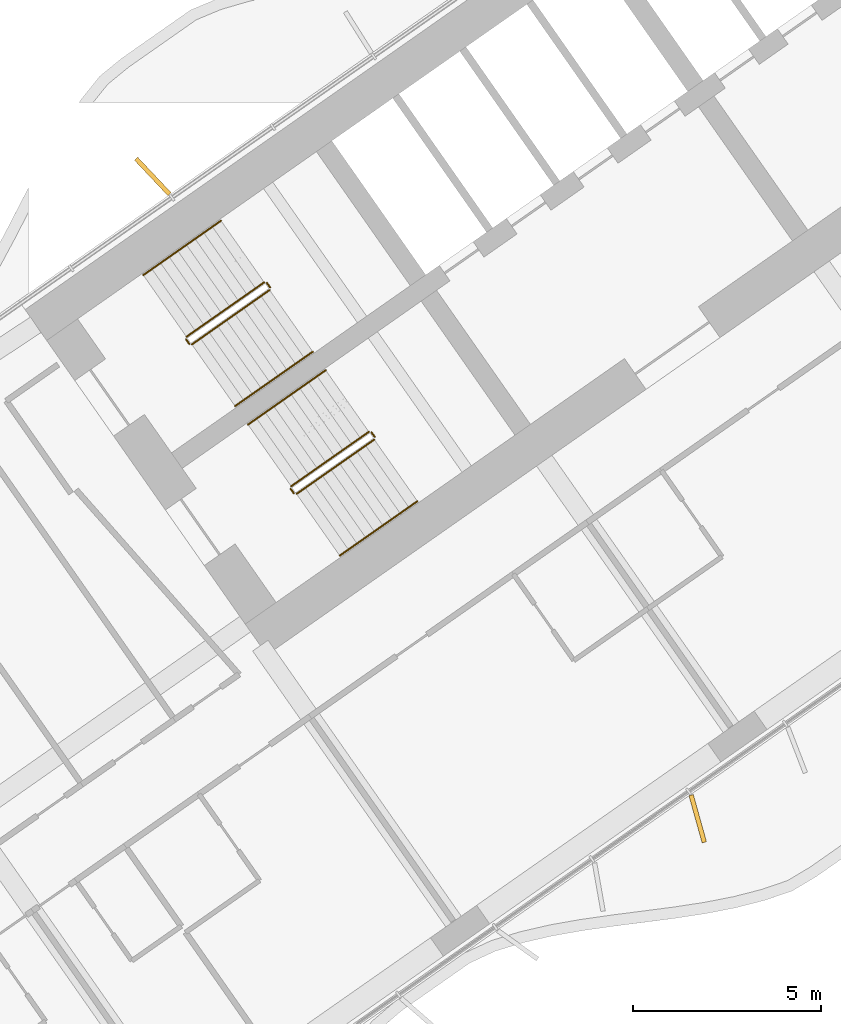
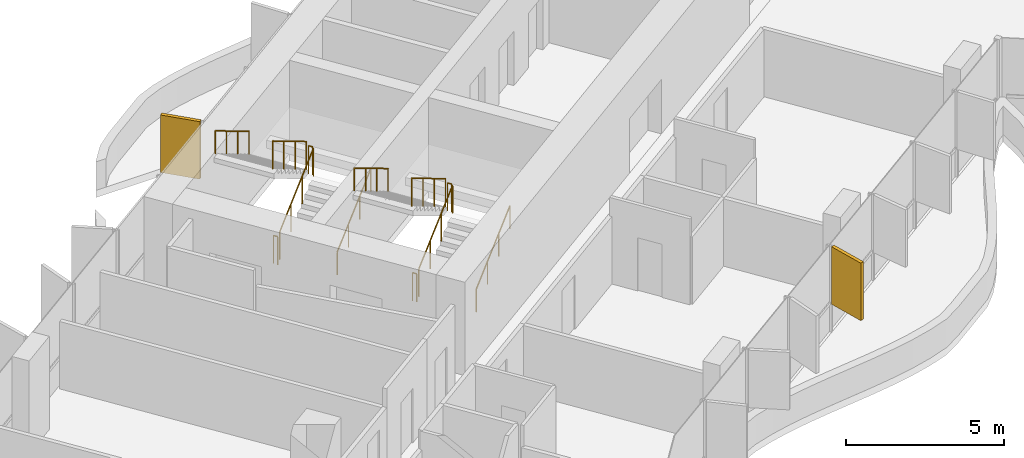
# One storey, part 20 of 24: 12 railings, 2 shading devices.
"""IFC4 building model written with IfcOpenShell, lengths in metres."""

from ifc_helpers import new_model, si_unit, direction, frame, origin, origin_2d, place, context, subcontext, project, spatial, rectangle, circle, extrude, material, layer, layer_set, type_object, element, save


model = new_model("IFC4")

# Units and contexts
model_context = context("Model", 3, precision=1e-05, world=origin(), true_north=direction((0.0, 1.0)))
body_context = subcontext(model_context, "Body", "Model", "MODEL_VIEW")
ifc_project = project(units=[si_unit("LENGTHUNIT", "METRE"), si_unit("AREAUNIT", "SQUARE_METRE"), si_unit("VOLUMEUNIT", "CUBIC_METRE"), si_unit("PLANEANGLEUNIT", "RADIAN"), si_unit("MASSUNIT", "GRAM", prefix="KILO")], contexts=[model_context])

# Site, building, storey
site_placement = place(None, origin())
site = spatial("IfcSite", under=ifc_project, at=site_placement, CompositionType="ELEMENT")
building_placement = place(site_placement, origin())
building = spatial("IfcBuilding", under=site, at=building_placement, Name="Tel Ilan Convention Tower", CompositionType="ELEMENT")
storey_placement = place(building_placement, frame((0.0, 0.0, 72.5)))
storey = spatial("IfcBuildingStorey", under=building, at=storey_placement, Name="L13", CompositionType="ELEMENT", Elevation=72.5)

# Shading devices
ifc_material_1 = material(Name="Aluminium, bronze anodised", Category="aluminium")
ifc_layer = layer(ifc_material_1, 0.1201171875)
ifc_layer_set = layer_set([ifc_layer], Name="FIN BRONZE 1300x120")
shading_device_type = type_object("IfcShadingDeviceType", Name="FIN BRONZE 1300x120", PredefinedType="USERDEFINED", material=ifc_layer_set)
for number, where, z_axis, x_axis, name in (
    (1, (-24.5732421875, -3.593017578125, 1.10009765625), (0.0, 0.0, 1.0), (-0.686241637865, 0.727373641577, 0.0), "FIN"),
    (2, (-10.09423828125, -20.658203125, 1.10009765625), (0.0, 0.0, 1.0), (0.268172612768, -0.963370878614, 0.0), "FIN"),
):
    element("IfcShadingDevice", number, at=place(storey_placement, frame(where, z_axis=z_axis, x_axis=x_axis)), inside=storey, type_object=shading_device_type, Name=name, ObjectType="FIN", PredefinedType="USERDEFINED", context=body_context, shape_type="SweptSolid", body=[
        extrude(rectangle(XDim=1.300048828125, YDim=0.1201171875, at=origin_2d()), origin(), (0.0, 0.0, 1.0), 2.219970703125),
    ])

# Railings
ifc_material_2 = material(Name="Stainless Steel Grade 316", Category="steel")
railing_type_1 = type_object("IfcRailingType", Name="Stainless Steel Stair Guard 1100 mm", PredefinedType="GUARDRAIL", material=ifc_material_2)
railing_1_placement = place(storey_placement, frame((-23.535400390625, -8.056396484375, 0.179931640625)))
element("IfcRailing", 3, at=railing_1_placement, inside=storey, type_object=railing_type_1, Name="L13 S1 stair guard 1", PredefinedType="GUARDRAIL", context=body_context, shape_type="SweptSolid", body=[
    extrude(circle(Radius=0.02392578125, at=origin_2d()), frame((0.0, 0.0, 1.076171875), z_axis=(0.689013013563, 0.482512838948, 0.540779462804), x_axis=(-0.573624882958, 0.819118119475, 0.0)), (0.0, 0.0, 1.0), 2.995849609375),
    extrude(circle(Radius=0.02099609375, at=origin_2d()), origin(), (0.0, 0.0, 1.0), 1.052001953125),
    extrude(circle(Radius=0.02099609375, at=origin_2d()), frame((0.68798828125, 0.48193359375, 0.5400390625)), (0.0, 0.0, 1.0), 1.052001953125),
    extrude(circle(Radius=0.02099609375, at=origin_2d()), frame((1.376220703125, 0.963623046875, 1.080078125)), (0.0, 0.0, 1.0), 1.052001953125),
    extrude(circle(Radius=0.02099609375, at=origin_2d()), frame((2.064208984375, 1.445556640625, 1.6201171875)), (0.0, 0.0, 1.0), 1.052001953125),
])
railing_2_placement = place(storey_placement, frame((-21.458984375, -6.541259765625, 1.800048828125)))
element("IfcRailing", 4, at=railing_2_placement, inside=storey, type_object=railing_type_1, Name="L13 S1 stair guard 2", PredefinedType="GUARDRAIL", context=body_context, shape_type="SweptSolid", body=[
    extrude(circle(Radius=0.02392578125, at=origin_2d()), frame((0.0, 0.0, 1.076171875), z_axis=(-0.573353020881, 0.819308436089, 0.0), x_axis=(-0.819308436089, -0.573353020881, 0.0)), (0.0, 0.0, 1.0), 0.14990234375),
    extrude(circle(Radius=0.02099609375, at=origin_2d()), origin(), (0.0, 0.0, 1.0), 1.052001953125),
    extrude(circle(Radius=0.02099609375, at=origin_2d()), frame((-0.0859375, 0.122802734375, 0.0)), (0.0, 0.0, 1.0), 1.052001953125),
])
railing_3_placement = place(storey_placement, frame((-21.614501953125, -6.406005859375, 1.97998046875)))
element("IfcRailing", 5, at=railing_3_placement, inside=storey, type_object=railing_type_1, Name="L13 S1 stair guard 3", PredefinedType="GUARDRAIL", context=body_context, shape_type="SweptSolid", body=[
    extrude(circle(Radius=0.02392578125, at=origin_2d()), frame((0.0, 0.0, 1.076171875), z_axis=(-0.689013013563, -0.482512838948, 0.540779462804), x_axis=(0.573624882958, -0.819118119475, 0.0)), (0.0, 0.0, 1.0), 2.995849609375),
    extrude(circle(Radius=0.02099609375, at=origin_2d()), origin(), (0.0, 0.0, 1.0), 1.052001953125),
    extrude(circle(Radius=0.02099609375, at=origin_2d()), frame((-0.68798828125, -0.48193359375, 0.5400390625)), (0.0, 0.0, 1.0), 1.052001953125),
    extrude(circle(Radius=0.02099609375, at=origin_2d()), frame((-1.376220703125, -0.963623046875, 1.080078125)), (0.0, 0.0, 1.0), 1.052001953125),
    extrude(circle(Radius=0.02099609375, at=origin_2d()), frame((-2.064208984375, -1.445556640625, 1.6201171875)), (0.0, 0.0, 1.0), 1.052001953125),
])
railing_4_placement = place(storey_placement, frame((-23.60498046875, -8.0439453125, 0.0)))
element("IfcRailing", 6, at=railing_4_placement, inside=storey, type_object=railing_type_1, Name="L13 S1 stair guard 4", PredefinedType="GUARDRAIL", context=body_context, shape_type="SweptSolid", body=[
    extrude(circle(Radius=0.02392578125, at=origin_2d()), frame((0.0, 0.0, 1.076171875), z_axis=(-0.574444878118, 0.818543268254, 0.0), x_axis=(-0.818543268254, -0.574444878118, 0.0)), (0.0, 0.0, 1.0), 0.150146484375),
    extrude(circle(Radius=0.02099609375, at=origin_2d()), origin(), (0.0, 0.0, 1.0), 1.052001953125),
    extrude(circle(Radius=0.02099609375, at=origin_2d()), frame((-0.086181640625, 0.122802734375, 0.0)), (0.0, 0.0, 1.0), 1.052001953125),
])
railing_5_placement = place(storey_placement, frame((-20.753662109375, -12.029296875, 0.179931640625)))
element("IfcRailing", 7, at=railing_5_placement, inside=storey, type_object=railing_type_1, Name="L13 S2 stair guard 1", PredefinedType="GUARDRAIL", context=body_context, shape_type="SweptSolid", body=[
    extrude(circle(Radius=0.02392578125, at=origin_2d()), frame((0.0, 0.0, 1.076171875), z_axis=(0.689055814419, 0.482485747064, 0.540749099395), x_axis=(-0.573579365141, 0.81914999352, 0.0)), (0.0, 0.0, 1.0), 2.99609375),
    extrude(circle(Radius=0.02099609375, at=origin_2d()), origin(), (0.0, 0.0, 1.0), 1.052001953125),
    extrude(circle(Radius=0.02099609375, at=origin_2d()), frame((0.688232421875, 0.48193359375, 0.5400390625)), (0.0, 0.0, 1.0), 1.052001953125),
    extrude(circle(Radius=0.02099609375, at=origin_2d()), frame((1.376220703125, 0.963623046875, 1.080078125)), (0.0, 0.0, 1.0), 1.052001953125),
    extrude(circle(Radius=0.02099609375, at=origin_2d()), frame((2.064453125, 1.445556640625, 1.6201171875)), (0.0, 0.0, 1.0), 1.052001953125),
])
railing_6_placement = place(storey_placement, frame((-18.677001953125, -10.51416015625, 1.800048828125)))
element("IfcRailing", 8, at=railing_6_placement, inside=storey, type_object=railing_type_1, Name="L13 S2 stair guard 2", PredefinedType="GUARDRAIL", context=body_context, shape_type="SweptSolid", body=[
    extrude(circle(Radius=0.02392578125, at=origin_2d()), frame((0.0, 0.0, 1.076171875), z_axis=(-0.573353020881, 0.819308436089, 0.0), x_axis=(-0.819308436089, -0.573353020881, 0.0)), (0.0, 0.0, 1.0), 0.14990234375),
    extrude(circle(Radius=0.02099609375, at=origin_2d()), origin(), (0.0, 0.0, 1.0), 1.052001953125),
    extrude(circle(Radius=0.02099609375, at=origin_2d()), frame((-0.0859375, 0.122802734375, 0.0)), (0.0, 0.0, 1.0), 1.052001953125),
])
railing_7_placement = place(storey_placement, frame((-18.832763671875, -10.37890625, 1.97998046875)))
element("IfcRailing", 9, at=railing_7_placement, inside=storey, type_object=railing_type_1, Name="L13 S2 stair guard 3", PredefinedType="GUARDRAIL", context=body_context, shape_type="SweptSolid", body=[
    extrude(circle(Radius=0.02392578125, at=origin_2d()), frame((0.0, 0.0, 1.076171875), z_axis=(-0.689013013563, -0.482512838948, 0.540779462804), x_axis=(0.573624882958, -0.819118119475, 0.0)), (0.0, 0.0, 1.0), 2.995849609375),
    extrude(circle(Radius=0.02099609375, at=origin_2d()), origin(), (0.0, 0.0, 1.0), 1.052001953125),
    extrude(circle(Radius=0.02099609375, at=origin_2d()), frame((-0.68798828125, -0.48193359375, 0.5400390625)), (0.0, 0.0, 1.0), 1.052001953125),
    extrude(circle(Radius=0.02099609375, at=origin_2d()), frame((-1.376220703125, -0.963623046875, 1.080078125)), (0.0, 0.0, 1.0), 1.052001953125),
    extrude(circle(Radius=0.02099609375, at=origin_2d()), frame((-2.064208984375, -1.445556640625, 1.6201171875)), (0.0, 0.0, 1.0), 1.052001953125),
])
railing_8_placement = place(storey_placement, frame((-20.8232421875, -12.016845703125, 0.0)))
element("IfcRailing", 10, at=railing_8_placement, inside=storey, type_object=railing_type_1, Name="L13 S2 stair guard 4", PredefinedType="GUARDRAIL", context=body_context, shape_type="SweptSolid", body=[
    extrude(circle(Radius=0.02392578125, at=origin_2d()), frame((0.0, 0.0, 1.076171875), z_axis=(-0.573353020881, 0.819308436089, 0.0), x_axis=(-0.819308436089, -0.573353020881, 0.0)), (0.0, 0.0, 1.0), 0.14990234375),
    extrude(circle(Radius=0.02099609375, at=origin_2d()), origin(), (0.0, 0.0, 1.0), 1.052001953125),
    extrude(circle(Radius=0.02099609375, at=origin_2d()), frame((-0.0859375, 0.122802734375, 0.0)), (0.0, 0.0, 1.0), 1.052001953125),
])
ifc_material_3 = material(Name="Stainless Steel Grade 316", Category="steel")
railing_type_2 = type_object("IfcRailingType", Name="Stainless Steel Stair Handrail 900 mm", PredefinedType="HANDRAIL", material=ifc_material_3)
railing_9_placement = place(storey_placement, frame((-22.38818359375, -9.694580078125, 0.179931640625)))
element("IfcRailing", 11, at=railing_9_placement, inside=storey, type_object=railing_type_2, Name="L13 S1 stair handrail 1", PredefinedType="HANDRAIL", context=body_context, shape_type="SweptSolid", body=[
    extrude(circle(Radius=0.02392578125, at=origin_2d()), frame((0.0, 0.0, 0.8759765625), z_axis=(0.689040105437, 0.482450316285, 0.54080072616), x_axis=(-0.573559875649, 0.819163639968, 0.0)), (0.0, 0.0, 1.0), 2.995849609375),
    extrude(circle(Radius=0.02099609375, at=origin_2d()), origin(), (0.0, 0.0, 1.0), 0.851806640625),
    extrude(circle(Radius=0.02099609375, at=origin_2d()), frame((0.68798828125, 0.481689453125, 0.5400390625)), (0.0, 0.0, 1.0), 0.851806640625),
    extrude(circle(Radius=0.02099609375, at=origin_2d()), frame((1.376220703125, 0.963623046875, 1.080078125)), (0.0, 0.0, 1.0), 0.851806640625),
    extrude(circle(Radius=0.02099609375, at=origin_2d()), frame((2.064208984375, 1.4453125, 1.6201171875)), (0.0, 0.0, 1.0), 0.851806640625),
])
railing_10_placement = place(storey_placement, frame((-22.76171875, -4.767822265625, 1.97998046875)))
element("IfcRailing", 12, at=railing_10_placement, inside=storey, type_object=railing_type_2, Name="L13 S1 stair handrail 2", PredefinedType="HANDRAIL", context=body_context, shape_type="SweptSolid", body=[
    extrude(circle(Radius=0.02392578125, at=origin_2d()), frame((0.0, 0.0, 0.8759765625), z_axis=(-0.689040105437, -0.482450316285, 0.54080072616), x_axis=(0.573559875649, -0.819163639968, 0.0)), (0.0, 0.0, 1.0), 2.995849609375),
    extrude(circle(Radius=0.02099609375, at=origin_2d()), origin(), (0.0, 0.0, 1.0), 0.851806640625),
    extrude(circle(Radius=0.02099609375, at=origin_2d()), frame((-0.68798828125, -0.481689453125, 0.5400390625)), (0.0, 0.0, 1.0), 0.851806640625),
    extrude(circle(Radius=0.02099609375, at=origin_2d()), frame((-1.376220703125, -0.963623046875, 1.080078125)), (0.0, 0.0, 1.0), 0.851806640625),
    extrude(circle(Radius=0.02099609375, at=origin_2d()), frame((-2.064208984375, -1.4453125, 1.6201171875)), (0.0, 0.0, 1.0), 0.851806640625),
])
railing_11_placement = place(storey_placement, frame((-19.6064453125, -13.66748046875, 0.179931640625)))
element("IfcRailing", 13, at=railing_11_placement, inside=storey, type_object=railing_type_2, Name="L13 S2 stair handrail 1", PredefinedType="HANDRAIL", context=body_context, shape_type="SweptSolid", body=[
    extrude(circle(Radius=0.02392578125, at=origin_2d()), frame((0.0, 0.0, 0.8759765625), z_axis=(0.689040105437, 0.482450316285, 0.54080072616), x_axis=(-0.573559875649, 0.819163639968, 0.0)), (0.0, 0.0, 1.0), 2.995849609375),
    extrude(circle(Radius=0.02099609375, at=origin_2d()), origin(), (0.0, 0.0, 1.0), 0.851806640625),
    extrude(circle(Radius=0.02099609375, at=origin_2d()), frame((0.68798828125, 0.481689453125, 0.5400390625)), (0.0, 0.0, 1.0), 0.851806640625),
    extrude(circle(Radius=0.02099609375, at=origin_2d()), frame((1.376220703125, 0.963623046875, 1.080078125)), (0.0, 0.0, 1.0), 0.851806640625),
    extrude(circle(Radius=0.02099609375, at=origin_2d()), frame((2.064208984375, 1.4453125, 1.6201171875)), (0.0, 0.0, 1.0), 0.851806640625),
])
railing_12_placement = place(storey_placement, frame((-19.979736328125, -8.74072265625, 1.97998046875)))
element("IfcRailing", 14, at=railing_12_placement, inside=storey, type_object=railing_type_2, Name="L13 S2 stair handrail 2", PredefinedType="HANDRAIL", context=body_context, shape_type="SweptSolid", body=[
    extrude(circle(Radius=0.02392578125, at=origin_2d()), frame((0.0, 0.0, 0.8759765625), z_axis=(-0.689082904933, -0.482423225781, 0.540770359169), x_axis=(0.573514357932, -0.81919550856, 0.0)), (0.0, 0.0, 1.0), 2.995849609375),
    extrude(circle(Radius=0.02099609375, at=origin_2d()), origin(), (0.0, 0.0, 1.0), 0.851806640625),
    extrude(circle(Radius=0.02099609375, at=origin_2d()), frame((-0.688232421875, -0.481689453125, 0.5400390625)), (0.0, 0.0, 1.0), 0.851806640625),
    extrude(circle(Radius=0.02099609375, at=origin_2d()), frame((-1.376220703125, -0.963623046875, 1.080078125)), (0.0, 0.0, 1.0), 0.851806640625),
    extrude(circle(Radius=0.02099609375, at=origin_2d()), frame((-2.064453125, -1.4453125, 1.6201171875)), (0.0, 0.0, 1.0), 0.851806640625),
])

save(model, "model.ifc")
